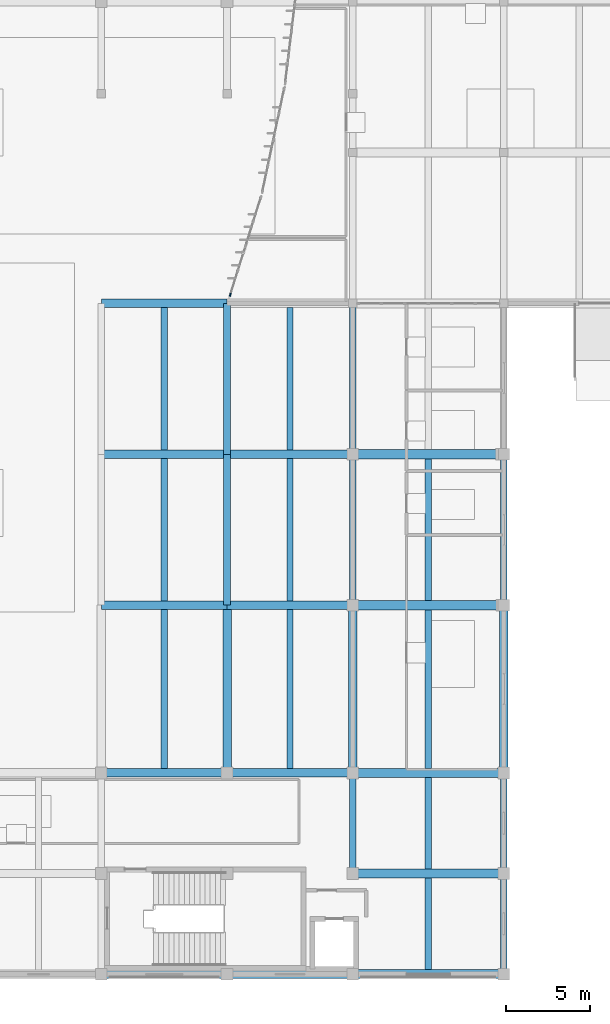
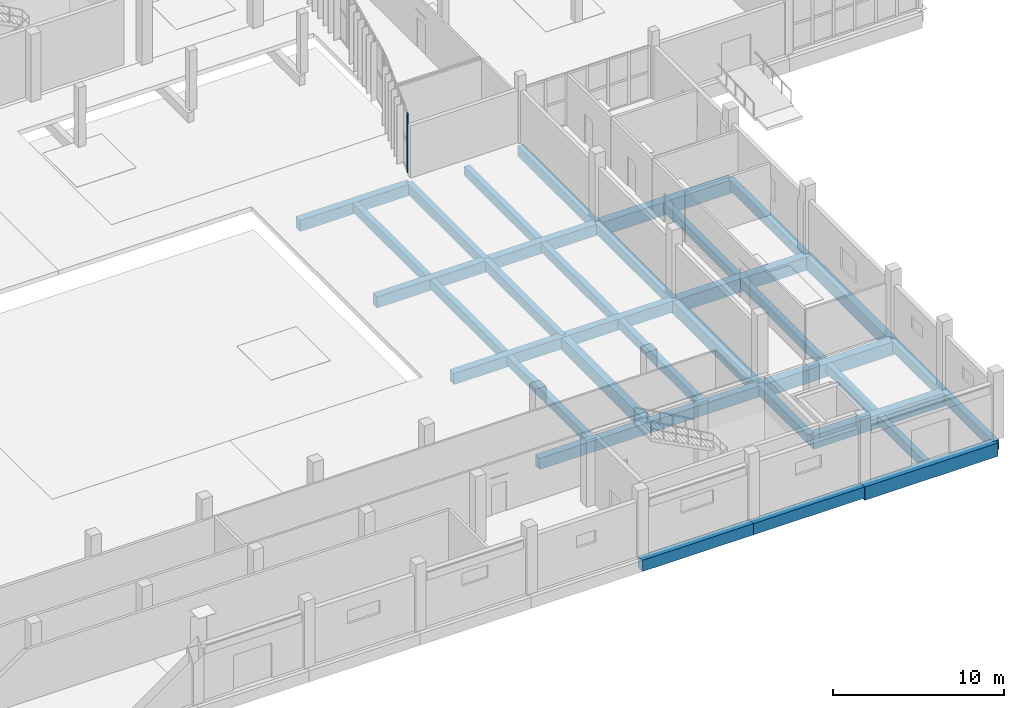
# One storey, part 24 of 72: 35 beams, 1 member, 1 element without a shape of its own.
"""IFC4 building model written with IfcOpenShell, lengths in metres."""

from ifc_helpers import new_model, si_unit, direction, frame, origin, origin_2d, place, context, subcontext, project, spatial, rectangle, extrude, material, material_profile, profile_set, type_object, element, aggregate, save


model = new_model("IFC4")

# Units and contexts
model_context = context("Model", 3, precision=1e-05, world=origin(), true_north=direction((0.0, 1.0)))
body_context = subcontext(model_context, "Body", "Model", "MODEL_VIEW")
ifc_project = project(units=[si_unit("LENGTHUNIT", "METRE"), si_unit("AREAUNIT", "SQUARE_METRE"), si_unit("VOLUMEUNIT", "CUBIC_METRE"), si_unit("PLANEANGLEUNIT", "RADIAN"), si_unit("MASSUNIT", "GRAM", prefix="KILO")], contexts=[model_context])

# Site, building, storey
site_placement = place(None, origin())
site = spatial("IfcSite", under=ifc_project, at=site_placement, CompositionType="ELEMENT")
building_placement = place(site_placement, origin())
building = spatial("IfcBuilding", under=site, at=building_placement, Name="Vourika Railside Aquatics Centre", CompositionType="ELEMENT")
storey_placement = place(building_placement, origin())
storey = spatial("IfcBuildingStorey", under=building, at=storey_placement, Name="L00", CompositionType="ELEMENT", Elevation=0.0)

# Beams
ifc_material_1 = material(Name="Concrete C35/45", Category="concrete")
ifc_material_profile_1 = material_profile(ifc_material_1, rectangle(XDim=0.39990234375, YDim=0.699951171875, at=origin_2d()), Name="RC 400x700")
ifc_profile_set_1 = profile_set([ifc_material_profile_1], Name="Concrete C35/45")
beam_type_1 = type_object("IfcBeamType", Name="BM-GIRD-400x700", PredefinedType="BEAM", material=ifc_profile_set_1)
for number, where, z_axis, x_axis, name in (
    (1, (133.5, 22.0, -0.669921875), (0.0, 1.0, 0.0), (-1.0, 0.0, 0.0), "Floor Girder GY-L00-311"),
    (2, (133.5, 31.0, -0.669921875), (0.0, 1.0, 0.0), (-1.0, 0.0, 0.0), "Floor Girder GY-L00-312"),
):
    element("IfcBeam", number, at=place(storey_placement, frame(where, z_axis=z_axis, x_axis=x_axis)), inside=storey, type_object=beam_type_1, Name=name, PredefinedType="BEAM", context=body_context, shape_type="SweptSolid", body=[
        extrude(rectangle(XDim=0.39990234375, YDim=0.699951171875, at=origin_2d()), origin(), (0.0, 0.0, 1.0), 9.0),
    ])
beam_1_placement = place(storey_placement, frame((141.0, 6.0, -0.669921875), z_axis=(0.0, 1.0, 0.0), x_axis=(-1.0, 0.0, 0.0)))
element("IfcBeam", 3, at=beam_1_placement, inside=storey, type_object=beam_type_1, Name="Floor Girder GY-L00-317", PredefinedType="BEAM", context=body_context, shape_type="SweptSolid", body=[
    extrude(rectangle(XDim=0.39990234375, YDim=0.699951171875, at=origin_2d()), origin(), (0.0, 0.0, 1.0), 6.0),
])
for number, where, z_axis, x_axis, name in (
    (4, (141.0, 22.0, -0.669921875), (0.0, 1.0, 0.0), (-1.0, 0.0, 0.0), "Floor Girder GY-L00-319"),
    (5, (141.0, 31.0, -0.669921875), (0.0, 1.0, 0.0), (-1.0, 0.0, 0.0), "Floor Girder GY-L00-320"),
):
    element("IfcBeam", number, at=place(storey_placement, frame(where, z_axis=z_axis, x_axis=x_axis)), inside=storey, type_object=beam_type_1, Name=name, PredefinedType="BEAM", context=body_context, shape_type="SweptSolid", body=[
        extrude(rectangle(XDim=0.39990234375, YDim=0.699951171875, at=origin_2d()), origin(), (0.0, 0.0, 1.0), 9.0),
    ])
for number, where, z_axis, x_axis, name in (
    (6, (150.0, 0.0, -0.669921875), (0.0, 1.0, 0.0), (-1.0, 0.0, 0.0), "Floor Girder GY-L00-327"),
    (7, (150.0, 6.0, -0.669921875), (0.0, 1.0, 0.0), (-1.0, 0.0, 0.0), "Floor Girder GY-L00-328"),
):
    element("IfcBeam", number, at=place(storey_placement, frame(where, z_axis=z_axis, x_axis=x_axis)), inside=storey, type_object=beam_type_1, Name=name, PredefinedType="BEAM", context=body_context, shape_type="SweptSolid", body=[
        extrude(rectangle(XDim=0.39990234375, YDim=0.699951171875, at=origin_2d()), origin(), (0.0, 0.0, 1.0), 6.0),
    ])
beam_2_placement = place(storey_placement, frame((150.0, 22.0, -0.669921875), z_axis=(0.0, 1.0, 0.0), x_axis=(-1.0, 0.0, 0.0)))
element("IfcBeam", 8, at=beam_2_placement, inside=storey, type_object=beam_type_1, Name="Floor Girder GY-L00-330", PredefinedType="BEAM", context=body_context, shape_type="SweptSolid", body=[
    extrude(rectangle(XDim=0.39990234375, YDim=0.699951171875, at=origin_2d()), origin(), (0.0, 0.0, 1.0), 9.0),
])
ifc_material_2 = material(Name="Concrete C40/50", Category="concrete")
ifc_material_profile_2 = material_profile(ifc_material_2, rectangle(XDim=0.5, YDim=0.89990234375, at=origin_2d()), Name="RC 500x900")
ifc_profile_set_2 = profile_set([ifc_material_profile_2], Name="Concrete C40/50")
beam_type_2 = type_object("IfcBeamType", Name="BM-GIRD-500x900", PredefinedType="BEAM", material=ifc_profile_set_2)
for number, where, z_axis, x_axis, name in (
    (9, (133.5, 12.0, -0.77001953125), (0.0, 1.0, 0.0), (-1.0, 0.0, 0.0), "Floor Girder GY-L00-310"),
    (10, (141.0, 12.0, -0.77001953125), (0.0, 1.0, 0.0), (-1.0, 0.0, 0.0), "Floor Girder GY-L00-318"),
    (11, (150.0, 12.0, -0.77001953125), (0.0, 1.0, 0.0), (-1.0, 0.0, 0.0), "Floor Girder GY-L00-329"),
):
    element("IfcBeam", number, at=place(storey_placement, frame(where, z_axis=z_axis, x_axis=x_axis)), inside=storey, type_object=beam_type_2, Name=name, PredefinedType="BEAM", context=body_context, shape_type="SweptSolid", body=[
        extrude(rectangle(XDim=0.5, YDim=0.89990234375, at=origin_2d()), origin(), (0.0, 0.0, 1.0), 10.0),
    ])
ifc_material_profile_3 = material_profile(ifc_material_2, rectangle(XDim=0.550048828125, YDim=0.949951171875, at=origin_2d()), Name="RC 550x950")
ifc_profile_set_3 = profile_set([ifc_material_profile_3], Name="Concrete C40/50")
beam_type_3 = type_object("IfcBeamType", Name="BM-GIRD-550x950", PredefinedType="BEAM", material=ifc_profile_set_3)
for number, where, z_axis, x_axis, name in (
    (12, (141.0, 0.0, -0.794921875), (1.0, 0.0, 0.0), (0.0, 1.0, 0.0), "Floor Beam GX-L00-015"),
    (13, (141.0, 6.0, -0.794921875), (1.0, 0.0, 0.0), (0.0, 1.0, 0.0), "Floor Beam GX-L00-026"),
    (14, (141.0, 12.0, -0.794921875), (1.0, 0.0, 0.0), (0.0, 1.0, 0.0), "Floor Beam GX-L00-041"),
    (15, (141.0, 22.0, -0.794921875), (1.0, 0.0, 0.0), (0.0, 1.0, 0.0), "Floor Beam GX-L00-048"),
    (16, (141.0, 31.0, -0.794921875), (1.0, 0.0, 0.0), (0.0, 1.0, 0.0), "Floor Beam GX-L00-051"),
):
    element("IfcBeam", number, at=place(storey_placement, frame(where, z_axis=z_axis, x_axis=x_axis)), inside=storey, type_object=beam_type_3, Name=name, PredefinedType="BEAM", context=body_context, shape_type="SweptSolid", body=[
        extrude(rectangle(XDim=0.550048828125, YDim=0.949951171875, at=origin_2d()), origin(), (0.0, 0.0, 1.0), 9.0),
    ])
ifc_material_profile_4 = material_profile(ifc_material_1, rectangle(XDim=0.3798828125, YDim=0.64990234375, at=origin_2d()), Name="RC 380x650")
ifc_profile_set_4 = profile_set([ifc_material_profile_4], Name="Concrete C35/45")
beam_type_4 = type_object("IfcBeamType", Name="BM-SEC-380x650", PredefinedType="JOIST", material=ifc_profile_set_4)
for number, where, z_axis, x_axis, name in (
    (17, (145.5, 0.27490234375, -0.64501953125), (0.0, 1.0, 0.0), (-1.0, 0.0, 0.0), "Secondary Joist JY-L00-360"),
    (18, (145.5, 6.27490234375, -0.64501953125), (0.0, 1.0, 0.0), (-1.0, 0.0, 0.0), "Secondary Joist JY-L00-371"),
):
    element("IfcBeam", number, at=place(storey_placement, frame(where, z_axis=z_axis, x_axis=x_axis)), inside=storey, type_object=beam_type_4, Name=name, PredefinedType="JOIST", context=body_context, shape_type="SweptSolid", body=[
        extrude(rectangle(XDim=0.3798828125, YDim=0.64990234375, at=origin_2d()), origin(), (0.0, 0.0, 1.0), 5.4501953125),
    ])
for number, where, z_axis, x_axis, name in (
    (19, (129.75, 12.25, -0.64501953125), (0.0, 1.0, 0.0), (-1.0, 0.0, 0.0), "Secondary Joist JY-L00-372"),
    (20, (137.25, 12.25, -0.64501953125), (0.0, 1.0, 0.0), (-1.0, 0.0, 0.0), "Secondary Joist JY-L00-373"),
):
    element("IfcBeam", number, at=place(storey_placement, frame(where, z_axis=z_axis, x_axis=x_axis)), inside=storey, type_object=beam_type_4, Name=name, PredefinedType="JOIST", context=body_context, shape_type="SweptSolid", body=[
        extrude(rectangle(XDim=0.3798828125, YDim=0.64990234375, at=origin_2d()), origin(), (0.0, 0.0, 1.0), 9.5),
    ])
beam_3_placement = place(storey_placement, frame((145.5, 12.27490234375, -0.64501953125), z_axis=(0.0, 1.0, 0.0), x_axis=(-1.0, 0.0, 0.0)))
element("IfcBeam", 21, at=beam_3_placement, inside=storey, type_object=beam_type_4, Name="Secondary Joist JY-L00-374", PredefinedType="JOIST", context=body_context, shape_type="SweptSolid", body=[
    extrude(rectangle(XDim=0.3798828125, YDim=0.64990234375, at=origin_2d()), origin(), (0.0, 0.0, 1.0), 9.4501953125),
])
for number, where, z_axis, x_axis, name in (
    (22, (129.75, 22.25, -0.64501953125), (0.0, 1.0, 0.0), (-1.0, 0.0, 0.0), "Secondary Joist JY-L00-375"),
    (23, (137.25, 22.25, -0.64501953125), (0.0, 1.0, 0.0), (-1.0, 0.0, 0.0), "Secondary Joist JY-L00-376"),
):
    element("IfcBeam", number, at=place(storey_placement, frame(where, z_axis=z_axis, x_axis=x_axis)), inside=storey, type_object=beam_type_4, Name=name, PredefinedType="JOIST", context=body_context, shape_type="SweptSolid", body=[
        extrude(rectangle(XDim=0.3798828125, YDim=0.64990234375, at=origin_2d()), origin(), (0.0, 0.0, 1.0), 8.5),
    ])
beam_4_placement = place(storey_placement, frame((145.5, 22.27490234375, -0.64501953125), z_axis=(0.0, 1.0, 0.0), x_axis=(-1.0, 0.0, 0.0)))
element("IfcBeam", 24, at=beam_4_placement, inside=storey, type_object=beam_type_4, Name="Secondary Joist JY-L00-377", PredefinedType="JOIST", context=body_context, shape_type="SweptSolid", body=[
    extrude(rectangle(XDim=0.3798828125, YDim=0.64990234375, at=origin_2d()), origin(), (0.0, 0.0, 1.0), 8.4501953125),
])
for number, where, z_axis, x_axis, name in (
    (25, (129.75, 31.25, -0.64501953125), (0.0, 1.0, 0.0), (-1.0, 0.0, 0.0), "Secondary Joist JY-L00-378"),
    (26, (137.25, 31.25, -0.64501953125), (0.0, 1.0, 0.0), (-1.0, 0.0, 0.0), "Secondary Joist JY-L00-379"),
):
    element("IfcBeam", number, at=place(storey_placement, frame(where, z_axis=z_axis, x_axis=x_axis)), inside=storey, type_object=beam_type_4, Name=name, PredefinedType="JOIST", context=body_context, shape_type="SweptSolid", body=[
        extrude(rectangle(XDim=0.3798828125, YDim=0.64990234375, at=origin_2d()), origin(), (0.0, 0.0, 1.0), 8.5),
    ])
ifc_material_profile_5 = material_profile(ifc_material_2, rectangle(XDim=0.5, YDim=0.800048828125, at=origin_2d()), Name="RC 500x800")
ifc_profile_set_5 = profile_set([ifc_material_profile_5], Name="Concrete C40/50")
beam_type_5 = type_object("IfcBeamType", Name="BM-TIE-500x800", PredefinedType="BEAM", material=ifc_profile_set_5)
for number, where, z_axis, x_axis, name in (
    (27, (126.0, 0.0, -0.719970703125), (1.0, 0.0, 0.0), (0.0, 1.0, 0.0), "Floor Beam GX-L00-013"),
    (28, (133.5, 0.0, -0.719970703125), (1.0, 0.0, 0.0), (0.0, 1.0, 0.0), "Floor Beam GX-L00-014"),
    (29, (126.0, 12.0, -0.719970703125), (1.0, 0.0, 0.0), (0.0, 1.0, 0.0), "Floor Beam GX-L00-039"),
    (30, (133.5, 12.0, -0.719970703125), (1.0, 0.0, 0.0), (0.0, 1.0, 0.0), "Floor Beam GX-L00-040"),
    (31, (126.0, 22.0, -0.719970703125), (1.0, 0.0, 0.0), (0.0, 1.0, 0.0), "Floor Beam GX-L00-046"),
    (32, (133.5, 22.0, -0.719970703125), (1.0, 0.0, 0.0), (0.0, 1.0, 0.0), "Floor Beam GX-L00-047"),
    (33, (126.0, 31.0, -0.719970703125), (1.0, 0.0, 0.0), (0.0, 1.0, 0.0), "Floor Beam GX-L00-049"),
    (34, (133.5, 31.0, -0.719970703125), (1.0, 0.0, 0.0), (0.0, 1.0, 0.0), "Floor Beam GX-L00-050"),
    (35, (126.0, 40.0, -0.719970703125), (1.0, 0.0, 0.0), (0.0, 1.0, 0.0), "Floor Beam GX-L00-052"),
):
    element("IfcBeam", number, at=place(storey_placement, frame(where, z_axis=z_axis, x_axis=x_axis)), inside=storey, type_object=beam_type_5, Name=name, PredefinedType="BEAM", context=body_context, shape_type="SweptSolid", body=[
        extrude(rectangle(XDim=0.5, YDim=0.800048828125, at=origin_2d()), origin(), (0.0, 0.0, 1.0), 7.5),
    ])

# Curtain wall, member
ifc_material_3 = material(Name="Anodized thermally broken aluminium", Category="aluminium")
curtain_wall_type = type_object("IfcCurtainWallType", Name="CW-FOYC0", PredefinedType="NOTDEFINED", material=ifc_material_3)
curtain_wall_placement = place(storey_placement, origin())
curtain_wall = element("IfcCurtainWall", 36, at=curtain_wall_placement, inside=storey, type_object=curtain_wall_type, Name="Curved Courtyard Foyer Curtain Wall L00-1", PredefinedType="NOTDEFINED")
ifc_material_4 = material(Name="Anodized aluminium mullion", Category="aluminium")
ifc_material_profile_6 = material_profile(ifc_material_4, rectangle(XDim=0.073974609375, YDim=0.195068359375, at=origin_2d()), Name="ALU-M 74x195")
ifc_profile_set_6 = profile_set([ifc_material_profile_6], Name="Anodized aluminium mullion")
member_type = type_object("IfcMemberType", Name="CWM-FOYC0", PredefinedType="MULLION", material=ifc_profile_set_6)
member_placement = place(storey_placement, frame((133.691162109375, 40.515380859375, 0.0), z_axis=(0.0, 0.0, 1.0), x_axis=(0.953947300696, -0.29997424472, 0.0)))
member = element("IfcMember", 37, at=member_placement, type_object=member_type, Name="CW07 mullion 5", PredefinedType="MULLION", context=body_context, shape_type="SweptSolid", body=[
    extrude(rectangle(XDim=0.073974609375, YDim=0.195068359375, at=origin_2d()), origin(), (0.0, 0.0, 1.0), 4.199951171875),
])
aggregate(curtain_wall, [member])

save(model, "model.ifc")
